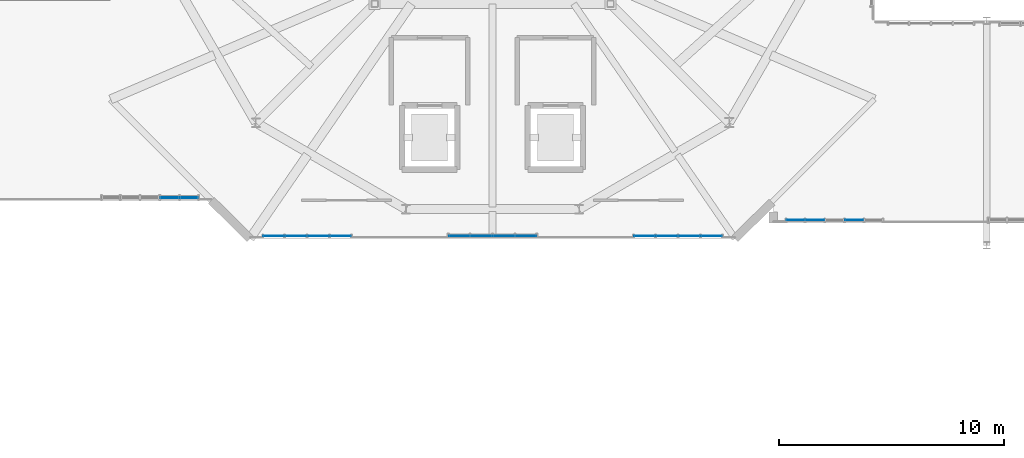
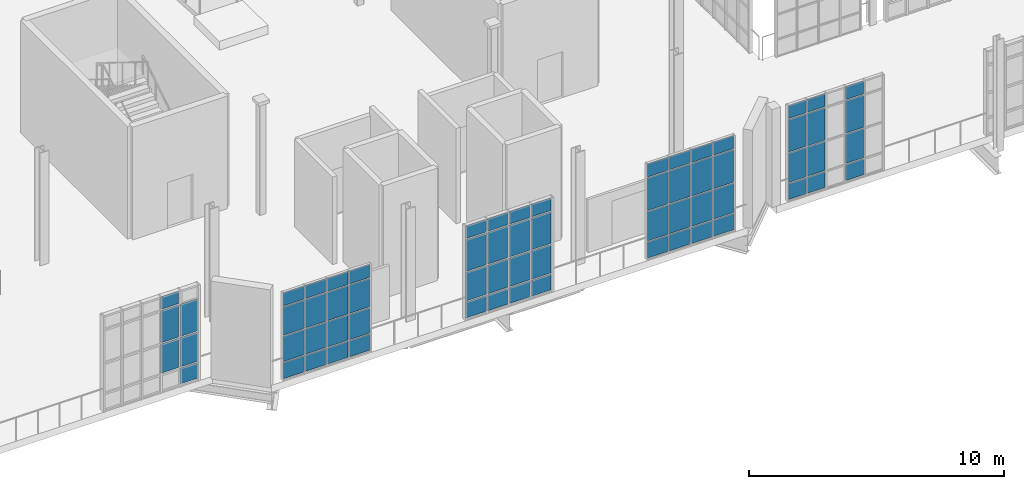
# One storey, part 147 of 189: 66 plates, 5 elements without a shape of their own.
"""IFC4 building model written with IfcOpenShell, lengths in metres."""

from ifc_helpers import new_model, si_unit, direction, frame, origin, origin_2d, place, context, subcontext, project, spatial, rectangle, extrude, material, layer, layer_set, type_object, element, aggregate, save


model = new_model("IFC4")

# Units and contexts
model_context = context("Model", 3, precision=1e-05, world=origin(), true_north=direction((0.0, 1.0)))
body_context = subcontext(model_context, "Body", "Model", "MODEL_VIEW")
ifc_project = project(units=[si_unit("LENGTHUNIT", "METRE"), si_unit("AREAUNIT", "SQUARE_METRE"), si_unit("VOLUMEUNIT", "CUBIC_METRE"), si_unit("PLANEANGLEUNIT", "RADIAN"), si_unit("MASSUNIT", "GRAM", prefix="KILO"), si_unit("THERMODYNAMICTEMPERATUREUNIT", "KELVIN"), si_unit("POWERUNIT", "WATT")], contexts=[model_context])

# Site, building, storey
site_placement = place(None, origin())
site = spatial("IfcSite", under=ifc_project, at=site_placement, CompositionType="ELEMENT")
building_placement = place(site_placement, origin())
building = spatial("IfcBuilding", under=site, at=building_placement, Name="Zelmaris Science Centre", CompositionType="ELEMENT")
storey_placement = place(building_placement, origin())
storey = spatial("IfcBuildingStorey", under=building, at=storey_placement, Name="L00", CompositionType="ELEMENT", Elevation=0.0)

# Curtain wall, plates
ifc_material_1 = material(Name="Anodised architectural aluminium 6063-T6", Category="aluminium")
ifc_layer_1 = layer(ifc_material_1, 0.18994140625, Name="Anodised architectural aluminium 6063-T6")
ifc_layer_set_1 = layer_set([ifc_layer_1], Name="Anodised architectural aluminium 6063-T6")
curtain_wall_type_1 = type_object("IfcCurtainWallType", Name="Curtain Wall CW-01", PredefinedType="USERDEFINED", material=ifc_layer_set_1)
curtain_wall_1_placement = place(storey_placement, origin())
curtain_wall_1 = element("IfcCurtainWall", 1, at=curtain_wall_1_placement, inside=storey, type_object=curtain_wall_type_1, Name="L00 Unitised curtain wall 121", ObjectType="GLAZED CURTAIN WALL", PredefinedType="USERDEFINED")
ifc_material_2 = material(Name="Laminated hurricane-rated low-E insulated glazing", Category="glass")
ifc_layer_2 = layer(ifc_material_2, 0.031982421875, Name="Laminated hurricane-rated low-E insulated glazing")
ifc_layer_set_2 = layer_set([ifc_layer_2], Name="Laminated hurricane-rated low-E insulated glazing")
plate_type_1 = type_object("IfcPlateType", Name="Curtain Glazing Panel CWP-1 32mm", PredefinedType="CURTAIN_PANEL", material=ifc_layer_set_2)
plate_1_placement = place(storey_placement, frame((67.48388671875, 22.11962890625, 0.05712890625), z_axis=(0.0, 0.0, 1.0), x_axis=(-0.999999999741, 2.2776442e-05, 0.0)))
plate_1 = element("IfcPlate", 2, at=plate_1_placement, type_object=plate_type_1, Name="CW-01 panel 1.1", PredefinedType="CURTAIN_PANEL", context=body_context, shape_type="SweptSolid", body=[
    extrude(rectangle(XDim=0.77001953125, YDim=0.031982421875, at=origin_2d()), origin(), (0.0, 0.0, 1.0), 0.741943359375),
])
plate_2_placement = place(storey_placement, frame((67.48388671875, 22.11962890625, 0.87109375), z_axis=(0.0, 0.0, 1.0), x_axis=(-0.999999999741, 2.2776442e-05, 0.0)))
plate_2 = element("IfcPlate", 3, at=plate_2_placement, type_object=plate_type_1, Name="CW-01 panel 1.2", PredefinedType="CURTAIN_PANEL", context=body_context, shape_type="SweptSolid", body=[
    extrude(rectangle(XDim=0.77001953125, YDim=0.031982421875, at=origin_2d()), origin(), (0.0, 0.0, 1.0), 1.385498046875),
])
plate_3_placement = place(storey_placement, frame((67.48388671875, 22.11962890625, 2.32861328125), z_axis=(0.0, 0.0, 1.0), x_axis=(-0.999999999741, 2.2776442e-05, 0.0)))
plate_3 = element("IfcPlate", 4, at=plate_3_placement, type_object=plate_type_1, Name="CW-01 panel 1.3", PredefinedType="CURTAIN_PANEL", context=body_context, shape_type="SweptSolid", body=[
    extrude(rectangle(XDim=0.77001953125, YDim=0.031982421875, at=origin_2d()), origin(), (0.0, 0.0, 1.0), 1.535400390625),
])
plate_4_placement = place(storey_placement, frame((66.623779296875, 22.11962890625, 0.87109375), z_axis=(0.0, 0.0, 1.0), x_axis=(-0.999999999741, 2.2776442e-05, 0.0)))
plate_4 = element("IfcPlate", 5, at=plate_4_placement, type_object=plate_type_1, Name="CW-01 panel 2.2", PredefinedType="CURTAIN_PANEL", context=body_context, shape_type="SweptSolid", body=[
    extrude(rectangle(XDim=0.80615234375, YDim=0.031982421875, at=origin_2d()), origin(), (0.0, 0.0, 1.0), 1.385498046875),
])
plate_5_placement = place(storey_placement, frame((66.623779296875, 22.11962890625, 2.32861328125), z_axis=(0.0, 0.0, 1.0), x_axis=(-0.999999999741, 2.2776442e-05, 0.0)))
plate_5 = element("IfcPlate", 6, at=plate_5_placement, type_object=plate_type_1, Name="CW-01 panel 2.3", PredefinedType="CURTAIN_PANEL", context=body_context, shape_type="SweptSolid", body=[
    extrude(rectangle(XDim=0.80615234375, YDim=0.031982421875, at=origin_2d()), origin(), (0.0, 0.0, 1.0), 1.535400390625),
])
plate_6_placement = place(storey_placement, frame((66.623779296875, 22.11962890625, 3.93603515625), z_axis=(0.0, 0.0, 1.0), x_axis=(-0.999999999741, 2.2776442e-05, 0.0)))
plate_6 = element("IfcPlate", 7, at=plate_6_placement, type_object=plate_type_1, Name="CW-01 panel 2.4", PredefinedType="CURTAIN_PANEL", context=body_context, shape_type="SweptSolid", body=[
    extrude(rectangle(XDim=0.80615234375, YDim=0.031982421875, at=origin_2d()), origin(), (0.0, 0.0, 1.0), 0.592041015625),
])
aggregate(curtain_wall_1, [plate_1, plate_2, plate_3, plate_4, plate_5, plate_6])

ifc_layer_3 = layer(ifc_material_1, 0.199951171875, Name="Anodised architectural aluminium 6063-T6")
ifc_layer_set_3 = layer_set([ifc_layer_3], Name="Anodised architectural aluminium 6063-T6")
curtain_wall_type_2 = type_object("IfcCurtainWallType", Name="Curtain Wall CW-02", PredefinedType="USERDEFINED", material=ifc_layer_set_3)
curtain_wall_2_placement = place(storey_placement, origin())
curtain_wall_2 = element("IfcCurtainWall", 8, at=curtain_wall_2_placement, inside=storey, type_object=curtain_wall_type_2, Name="L00 Unitised curtain wall 118", ObjectType="GLAZED CURTAIN WALL", PredefinedType="USERDEFINED")
ifc_layer_4 = layer(ifc_material_2, 0.028076171875, Name="Laminated hurricane-rated low-E insulated glazing")
ifc_layer_set_4 = layer_set([ifc_layer_4], Name="Laminated hurricane-rated low-E insulated glazing")
plate_type_2 = type_object("IfcPlateType", Name="Curtain Glazing Panel CWP-2 28mm", PredefinedType="CURTAIN_PANEL", material=ifc_layer_set_4)
plate_7_placement = place(storey_placement, frame((82.48681640625, 20.419921875, 0.052001953125), z_axis=(0.0, 0.0, 1.0), x_axis=(-1.0, 0.0, 0.0)))
plate_7 = element("IfcPlate", 9, at=plate_7_placement, type_object=plate_type_2, Name="CW-02 panel 1.1", PredefinedType="CURTAIN_PANEL", context=body_context, shape_type="SweptSolid", body=[
    extrude(rectangle(XDim=0.9013671875, YDim=0.028076171875, at=origin_2d()), origin(), (0.0, 0.0, 1.0), 0.74951171875),
])
plate_8_placement = place(storey_placement, frame((82.48681640625, 20.419921875, 0.868408203125), z_axis=(0.0, 0.0, 1.0), x_axis=(-1.0, 0.0, 0.0)))
plate_8 = element("IfcPlate", 10, at=plate_8_placement, type_object=plate_type_2, Name="CW-02 panel 1.2", PredefinedType="CURTAIN_PANEL", context=body_context, shape_type="SweptSolid", body=[
    extrude(rectangle(XDim=0.9013671875, YDim=0.028076171875, at=origin_2d()), origin(), (0.0, 0.0, 1.0), 1.35400390625),
])
plate_9_placement = place(storey_placement, frame((82.48681640625, 20.419921875, 2.28955078125), z_axis=(0.0, 0.0, 1.0), x_axis=(-1.0, 0.0, 0.0)))
plate_9 = element("IfcPlate", 11, at=plate_9_placement, type_object=plate_type_2, Name="CW-02 panel 1.3", PredefinedType="CURTAIN_PANEL", context=body_context, shape_type="SweptSolid", body=[
    extrude(rectangle(XDim=0.9013671875, YDim=0.028076171875, at=origin_2d()), origin(), (0.0, 0.0, 1.0), 1.50390625),
])
plate_10_placement = place(storey_placement, frame((82.48681640625, 20.419921875, 3.8603515625), z_axis=(0.0, 0.0, 1.0), x_axis=(-1.0, 0.0, 0.0)))
plate_10 = element("IfcPlate", 12, at=plate_10_placement, type_object=plate_type_2, Name="CW-02 panel 1.4", PredefinedType="CURTAIN_PANEL", context=body_context, shape_type="SweptSolid", body=[
    extrude(rectangle(XDim=0.9013671875, YDim=0.028076171875, at=origin_2d()), origin(), (0.0, 0.0, 1.0), 0.599609375),
])
plate_11_placement = place(storey_placement, frame((81.501708984375, 20.419921875, 0.052001953125), z_axis=(0.0, 0.0, 1.0), x_axis=(-1.0, 0.0, 0.0)))
plate_11 = element("IfcPlate", 13, at=plate_11_placement, type_object=plate_type_2, Name="CW-02 panel 2.1", PredefinedType="CURTAIN_PANEL", context=body_context, shape_type="SweptSolid", body=[
    extrude(rectangle(XDim=0.934814453125, YDim=0.028076171875, at=origin_2d()), origin(), (0.0, 0.0, 1.0), 0.74951171875),
])
plate_12_placement = place(storey_placement, frame((81.501708984375, 20.419921875, 0.868408203125), z_axis=(0.0, 0.0, 1.0), x_axis=(-1.0, 0.0, 0.0)))
plate_12 = element("IfcPlate", 14, at=plate_12_placement, type_object=plate_type_2, Name="CW-02 panel 2.2", PredefinedType="CURTAIN_PANEL", context=body_context, shape_type="SweptSolid", body=[
    extrude(rectangle(XDim=0.934814453125, YDim=0.028076171875, at=origin_2d()), origin(), (0.0, 0.0, 1.0), 1.35400390625),
])
plate_13_placement = place(storey_placement, frame((81.501708984375, 20.419921875, 2.28955078125), z_axis=(0.0, 0.0, 1.0), x_axis=(-1.0, 0.0, 0.0)))
plate_13 = element("IfcPlate", 15, at=plate_13_placement, type_object=plate_type_2, Name="CW-02 panel 2.3", PredefinedType="CURTAIN_PANEL", context=body_context, shape_type="SweptSolid", body=[
    extrude(rectangle(XDim=0.934814453125, YDim=0.028076171875, at=origin_2d()), origin(), (0.0, 0.0, 1.0), 1.50390625),
])
plate_14_placement = place(storey_placement, frame((81.501708984375, 20.419921875, 3.8603515625), z_axis=(0.0, 0.0, 1.0), x_axis=(-1.0, 0.0, 0.0)))
plate_14 = element("IfcPlate", 16, at=plate_14_placement, type_object=plate_type_2, Name="CW-02 panel 2.4", PredefinedType="CURTAIN_PANEL", context=body_context, shape_type="SweptSolid", body=[
    extrude(rectangle(XDim=0.934814453125, YDim=0.028076171875, at=origin_2d()), origin(), (0.0, 0.0, 1.0), 0.599609375),
])
plate_15_placement = place(storey_placement, frame((80.499755859375, 20.419921875, 0.052001953125), z_axis=(0.0, 0.0, 1.0), x_axis=(-1.0, 0.0, 0.0)))
plate_15 = element("IfcPlate", 17, at=plate_15_placement, type_object=plate_type_2, Name="CW-02 panel 3.1", PredefinedType="CURTAIN_PANEL", context=body_context, shape_type="SweptSolid", body=[
    extrude(rectangle(XDim=0.934814453125, YDim=0.028076171875, at=origin_2d()), origin(), (0.0, 0.0, 1.0), 0.74951171875),
])
plate_16_placement = place(storey_placement, frame((80.499755859375, 20.419921875, 0.868408203125), z_axis=(0.0, 0.0, 1.0), x_axis=(-1.0, 0.0, 0.0)))
plate_16 = element("IfcPlate", 18, at=plate_16_placement, type_object=plate_type_2, Name="CW-02 panel 3.2", PredefinedType="CURTAIN_PANEL", context=body_context, shape_type="SweptSolid", body=[
    extrude(rectangle(XDim=0.934814453125, YDim=0.028076171875, at=origin_2d()), origin(), (0.0, 0.0, 1.0), 1.35400390625),
])
plate_17_placement = place(storey_placement, frame((80.499755859375, 20.419921875, 2.28955078125), z_axis=(0.0, 0.0, 1.0), x_axis=(-1.0, 0.0, 0.0)))
plate_17 = element("IfcPlate", 19, at=plate_17_placement, type_object=plate_type_2, Name="CW-02 panel 3.3", PredefinedType="CURTAIN_PANEL", context=body_context, shape_type="SweptSolid", body=[
    extrude(rectangle(XDim=0.934814453125, YDim=0.028076171875, at=origin_2d()), origin(), (0.0, 0.0, 1.0), 1.50390625),
])
plate_18_placement = place(storey_placement, frame((80.499755859375, 20.419921875, 3.8603515625), z_axis=(0.0, 0.0, 1.0), x_axis=(-1.0, 0.0, 0.0)))
plate_18 = element("IfcPlate", 20, at=plate_18_placement, type_object=plate_type_2, Name="CW-02 panel 3.4", PredefinedType="CURTAIN_PANEL", context=body_context, shape_type="SweptSolid", body=[
    extrude(rectangle(XDim=0.934814453125, YDim=0.028076171875, at=origin_2d()), origin(), (0.0, 0.0, 1.0), 0.599609375),
])
plate_19_placement = place(storey_placement, frame((79.5146484375, 20.419921875, 0.052001953125), z_axis=(0.0, 0.0, 1.0), x_axis=(-1.0, 0.0, 0.0)))
plate_19 = element("IfcPlate", 21, at=plate_19_placement, type_object=plate_type_2, Name="CW-02 panel 4.1", PredefinedType="CURTAIN_PANEL", context=body_context, shape_type="SweptSolid", body=[
    extrude(rectangle(XDim=0.9013671875, YDim=0.028076171875, at=origin_2d()), origin(), (0.0, 0.0, 1.0), 0.74951171875),
])
plate_20_placement = place(storey_placement, frame((79.5146484375, 20.419921875, 0.868408203125), z_axis=(0.0, 0.0, 1.0), x_axis=(-1.0, 0.0, 0.0)))
plate_20 = element("IfcPlate", 22, at=plate_20_placement, type_object=plate_type_2, Name="CW-02 panel 4.2", PredefinedType="CURTAIN_PANEL", context=body_context, shape_type="SweptSolid", body=[
    extrude(rectangle(XDim=0.9013671875, YDim=0.028076171875, at=origin_2d()), origin(), (0.0, 0.0, 1.0), 1.35400390625),
])
plate_21_placement = place(storey_placement, frame((79.5146484375, 20.419921875, 2.28955078125), z_axis=(0.0, 0.0, 1.0), x_axis=(-1.0, 0.0, 0.0)))
plate_21 = element("IfcPlate", 23, at=plate_21_placement, type_object=plate_type_2, Name="CW-02 panel 4.3", PredefinedType="CURTAIN_PANEL", context=body_context, shape_type="SweptSolid", body=[
    extrude(rectangle(XDim=0.9013671875, YDim=0.028076171875, at=origin_2d()), origin(), (0.0, 0.0, 1.0), 1.50390625),
])
plate_22_placement = place(storey_placement, frame((79.5146484375, 20.419921875, 3.8603515625), z_axis=(0.0, 0.0, 1.0), x_axis=(-1.0, 0.0, 0.0)))
plate_22 = element("IfcPlate", 24, at=plate_22_placement, type_object=plate_type_2, Name="CW-02 panel 4.4", PredefinedType="CURTAIN_PANEL", context=body_context, shape_type="SweptSolid", body=[
    extrude(rectangle(XDim=0.9013671875, YDim=0.028076171875, at=origin_2d()), origin(), (0.0, 0.0, 1.0), 0.599609375),
])
aggregate(curtain_wall_2, [plate_7, plate_8, plate_9, plate_10, plate_11, plate_12, plate_13, plate_14, plate_15, plate_16, plate_17, plate_18, plate_19, plate_20, plate_21, plate_22])

ifc_layer_5 = layer(ifc_material_1, 0.2099609375, Name="Anodised architectural aluminium 6063-T6")
ifc_layer_set_5 = layer_set([ifc_layer_5], Name="Anodised architectural aluminium 6063-T6")
curtain_wall_type_3 = type_object("IfcCurtainWallType", Name="Curtain Wall CW-03", PredefinedType="USERDEFINED", material=ifc_layer_set_5)
curtain_wall_3_placement = place(storey_placement, origin())
curtain_wall_3 = element("IfcCurtainWall", 25, at=curtain_wall_3_placement, inside=storey, type_object=curtain_wall_type_3, Name="L00 Unitised curtain wall 115", ObjectType="GLAZED CURTAIN WALL", PredefinedType="USERDEFINED")
ifc_layer_6 = layer(ifc_material_2, 0.02587890625, Name="Laminated hurricane-rated low-E insulated glazing")
ifc_layer_set_6 = layer_set([ifc_layer_6], Name="Laminated hurricane-rated low-E insulated glazing")
plate_type_3 = type_object("IfcPlateType", Name="Curtain Glazing Panel CWP-3 26mm", PredefinedType="CURTAIN_PANEL", material=ifc_layer_set_6)
plate_23_placement = place(storey_placement, frame((97.104248046875, 21.119873046875, 0.0419921875), z_axis=(0.0, 0.0, 1.0), x_axis=(-0.999999997651, 6.8536968e-05, 0.0)))
plate_23 = element("IfcPlate", 26, at=plate_23_placement, type_object=plate_type_3, Name="CW-03 panel 2.1", PredefinedType="CURTAIN_PANEL", context=body_context, shape_type="SweptSolid", body=[
    extrude(rectangle(XDim=0.818359375, YDim=0.02587890625, at=origin_2d()), origin(), (0.0, 0.0, 1.0), 0.764404296875),
])
plate_24_placement = place(storey_placement, frame((97.104248046875, 21.119873046875, 0.863525390625), z_axis=(0.0, 0.0, 1.0), x_axis=(-0.999999997651, 6.8536968e-05, 0.0)))
plate_24 = element("IfcPlate", 27, at=plate_24_placement, type_object=plate_type_3, Name="CW-03 panel 2.2", PredefinedType="CURTAIN_PANEL", context=body_context, shape_type="SweptSolid", body=[
    extrude(rectangle(XDim=0.818359375, YDim=0.02587890625, at=origin_2d()), origin(), (0.0, 0.0, 1.0), 1.400390625),
])
plate_25_placement = place(storey_placement, frame((97.104248046875, 21.119873046875, 2.32080078125), z_axis=(0.0, 0.0, 1.0), x_axis=(-0.999999997651, 6.8536968e-05, 0.0)))
plate_25 = element("IfcPlate", 28, at=plate_25_placement, type_object=plate_type_3, Name="CW-03 panel 2.3", PredefinedType="CURTAIN_PANEL", context=body_context, shape_type="SweptSolid", body=[
    extrude(rectangle(XDim=0.818359375, YDim=0.02587890625, at=origin_2d()), origin(), (0.0, 0.0, 1.0), 1.550537109375),
])
plate_26_placement = place(storey_placement, frame((97.104248046875, 21.119873046875, 3.9287109375), z_axis=(0.0, 0.0, 1.0), x_axis=(-0.999999997651, 6.8536968e-05, 0.0)))
plate_26 = element("IfcPlate", 29, at=plate_26_placement, type_object=plate_type_3, Name="CW-03 panel 2.4", PredefinedType="CURTAIN_PANEL", context=body_context, shape_type="SweptSolid", body=[
    extrude(rectangle(XDim=0.818359375, YDim=0.02587890625, at=origin_2d()), origin(), (0.0, 0.0, 1.0), 0.614501953125),
])
plate_27_placement = place(storey_placement, frame((95.353271484375, 21.119873046875, 0.0419921875), z_axis=(0.0, 0.0, 1.0), x_axis=(-0.999999997651, 6.8536968e-05, 0.0)))
plate_27 = element("IfcPlate", 30, at=plate_27_placement, type_object=plate_type_3, Name="CW-03 panel 4.1", PredefinedType="CURTAIN_PANEL", context=body_context, shape_type="SweptSolid", body=[
    extrude(rectangle(XDim=0.818359375, YDim=0.02587890625, at=origin_2d()), origin(), (0.0, 0.0, 1.0), 0.764404296875),
])
plate_28_placement = place(storey_placement, frame((95.353271484375, 21.119873046875, 0.863525390625), z_axis=(0.0, 0.0, 1.0), x_axis=(-0.999999997651, 6.8536968e-05, 0.0)))
plate_28 = element("IfcPlate", 31, at=plate_28_placement, type_object=plate_type_3, Name="CW-03 panel 4.2", PredefinedType="CURTAIN_PANEL", context=body_context, shape_type="SweptSolid", body=[
    extrude(rectangle(XDim=0.818359375, YDim=0.02587890625, at=origin_2d()), origin(), (0.0, 0.0, 1.0), 1.400390625),
])
plate_29_placement = place(storey_placement, frame((95.353271484375, 21.119873046875, 2.32080078125), z_axis=(0.0, 0.0, 1.0), x_axis=(-0.999999997651, 6.8536968e-05, 0.0)))
plate_29 = element("IfcPlate", 32, at=plate_29_placement, type_object=plate_type_3, Name="CW-03 panel 4.3", PredefinedType="CURTAIN_PANEL", context=body_context, shape_type="SweptSolid", body=[
    extrude(rectangle(XDim=0.818359375, YDim=0.02587890625, at=origin_2d()), origin(), (0.0, 0.0, 1.0), 1.550537109375),
])
plate_30_placement = place(storey_placement, frame((95.353271484375, 21.119873046875, 3.9287109375), z_axis=(0.0, 0.0, 1.0), x_axis=(-0.999999997651, 6.8536968e-05, 0.0)))
plate_30 = element("IfcPlate", 33, at=plate_30_placement, type_object=plate_type_3, Name="CW-03 panel 4.4", PredefinedType="CURTAIN_PANEL", context=body_context, shape_type="SweptSolid", body=[
    extrude(rectangle(XDim=0.818359375, YDim=0.02587890625, at=origin_2d()), origin(), (0.0, 0.0, 1.0), 0.614501953125),
])
plate_31_placement = place(storey_placement, frame((94.4921875, 21.119873046875, 0.0419921875), z_axis=(0.0, 0.0, 1.0), x_axis=(-0.999999997651, 6.8536968e-05, 0.0)))
plate_31 = element("IfcPlate", 34, at=plate_31_placement, type_object=plate_type_3, Name="CW-03 panel 5.1", PredefinedType="CURTAIN_PANEL", context=body_context, shape_type="SweptSolid", body=[
    extrude(rectangle(XDim=0.7900390625, YDim=0.02587890625, at=origin_2d()), origin(), (0.0, 0.0, 1.0), 0.764404296875),
])
plate_32_placement = place(storey_placement, frame((94.4921875, 21.119873046875, 0.863525390625), z_axis=(0.0, 0.0, 1.0), x_axis=(-0.999999997651, 6.8536968e-05, 0.0)))
plate_32 = element("IfcPlate", 35, at=plate_32_placement, type_object=plate_type_3, Name="CW-03 panel 5.2", PredefinedType="CURTAIN_PANEL", context=body_context, shape_type="SweptSolid", body=[
    extrude(rectangle(XDim=0.7900390625, YDim=0.02587890625, at=origin_2d()), origin(), (0.0, 0.0, 1.0), 1.400390625),
])
plate_33_placement = place(storey_placement, frame((94.4921875, 21.119873046875, 2.32080078125), z_axis=(0.0, 0.0, 1.0), x_axis=(-0.999999997651, 6.8536968e-05, 0.0)))
plate_33 = element("IfcPlate", 36, at=plate_33_placement, type_object=plate_type_3, Name="CW-03 panel 5.3", PredefinedType="CURTAIN_PANEL", context=body_context, shape_type="SweptSolid", body=[
    extrude(rectangle(XDim=0.7900390625, YDim=0.02587890625, at=origin_2d()), origin(), (0.0, 0.0, 1.0), 1.550537109375),
])
plate_34_placement = place(storey_placement, frame((94.4921875, 21.119873046875, 3.9287109375), z_axis=(0.0, 0.0, 1.0), x_axis=(-0.999999997651, 6.8536968e-05, 0.0)))
plate_34 = element("IfcPlate", 37, at=plate_34_placement, type_object=plate_type_3, Name="CW-03 panel 5.4", PredefinedType="CURTAIN_PANEL", context=body_context, shape_type="SweptSolid", body=[
    extrude(rectangle(XDim=0.7900390625, YDim=0.02587890625, at=origin_2d()), origin(), (0.0, 0.0, 1.0), 0.614501953125),
])
aggregate(curtain_wall_3, [plate_23, plate_24, plate_25, plate_26, plate_27, plate_28, plate_29, plate_30, plate_31, plate_32, plate_33, plate_34])

ifc_layer_7 = layer(ifc_material_1, 0.219970703125, Name="Anodised architectural aluminium 6063-T6")
ifc_layer_set_7 = layer_set([ifc_layer_7], Name="Anodised architectural aluminium 6063-T6")
curtain_wall_type_4 = type_object("IfcCurtainWallType", Name="Curtain Wall CW-04", PredefinedType="USERDEFINED", material=ifc_layer_set_7)
curtain_wall_4_placement = place(storey_placement, origin())
curtain_wall_4 = element("IfcCurtainWall", 38, at=curtain_wall_4_placement, inside=storey, type_object=curtain_wall_type_4, Name="L00 Unitised curtain wall 116", ObjectType="GLAZED CURTAIN WALL", PredefinedType="USERDEFINED")
ifc_layer_8 = layer(ifc_material_2, 0.02392578125, Name="Laminated hurricane-rated low-E insulated glazing")
ifc_layer_set_8 = layer_set([ifc_layer_8], Name="Laminated hurricane-rated low-E insulated glazing")
plate_type_4 = type_object("IfcPlateType", Name="Curtain Glazing Panel CWP-4 24mm", PredefinedType="CURTAIN_PANEL", material=ifc_layer_set_8)
plate_35_placement = place(storey_placement, frame((90.74609375, 20.420166015625, 0.037109375), z_axis=(0.0, 0.0, 1.0), x_axis=(-1.0, 0.0, 0.0)))
plate_35 = element("IfcPlate", 39, at=plate_35_placement, type_object=plate_type_4, Name="CW-04 panel 1.1", PredefinedType="CURTAIN_PANEL", context=body_context, shape_type="SweptSolid", body=[
    extrude(rectangle(XDim=0.923828125, YDim=0.02392578125, at=origin_2d()), origin(), (0.0, 0.0, 1.0), 0.77197265625),
])
plate_36_placement = place(storey_placement, frame((90.74609375, 20.420166015625, 0.86083984375), z_axis=(0.0, 0.0, 1.0), x_axis=(-1.0, 0.0, 0.0)))
plate_36 = element("IfcPlate", 40, at=plate_36_placement, type_object=plate_type_4, Name="CW-04 panel 1.2", PredefinedType="CURTAIN_PANEL", context=body_context, shape_type="SweptSolid", body=[
    extrude(rectangle(XDim=0.923828125, YDim=0.02392578125, at=origin_2d()), origin(), (0.0, 0.0, 1.0), 1.405517578125),
])
plate_37_placement = place(storey_placement, frame((90.74609375, 20.420166015625, 2.318359375), z_axis=(0.0, 0.0, 1.0), x_axis=(-1.0, 0.0, 0.0)))
plate_37 = element("IfcPlate", 41, at=plate_37_placement, type_object=plate_type_4, Name="CW-04 panel 1.3", PredefinedType="CURTAIN_PANEL", context=body_context, shape_type="SweptSolid", body=[
    extrude(rectangle(XDim=0.923828125, YDim=0.02392578125, at=origin_2d()), origin(), (0.0, 0.0, 1.0), 1.555419921875),
])
plate_38_placement = place(storey_placement, frame((90.74609375, 20.420166015625, 3.926025390625), z_axis=(0.0, 0.0, 1.0), x_axis=(-1.0, 0.0, 0.0)))
plate_38 = element("IfcPlate", 42, at=plate_38_placement, type_object=plate_type_4, Name="CW-04 panel 1.4", PredefinedType="CURTAIN_PANEL", context=body_context, shape_type="SweptSolid", body=[
    extrude(rectangle(XDim=0.923828125, YDim=0.02392578125, at=origin_2d()), origin(), (0.0, 0.0, 1.0), 0.6220703125),
])
plate_39_placement = place(storey_placement, frame((89.757080078125, 20.420166015625, 0.037109375), z_axis=(0.0, 0.0, 1.0), x_axis=(-1.0, 0.0, 0.0)))
plate_39 = element("IfcPlate", 43, at=plate_39_placement, type_object=plate_type_4, Name="CW-04 panel 2.1", PredefinedType="CURTAIN_PANEL", context=body_context, shape_type="SweptSolid", body=[
    extrude(rectangle(XDim=0.949951171875, YDim=0.02392578125, at=origin_2d()), origin(), (0.0, 0.0, 1.0), 0.77197265625),
])
plate_40_placement = place(storey_placement, frame((89.757080078125, 20.420166015625, 0.86083984375), z_axis=(0.0, 0.0, 1.0), x_axis=(-1.0, 0.0, 0.0)))
plate_40 = element("IfcPlate", 44, at=plate_40_placement, type_object=plate_type_4, Name="CW-04 panel 2.2", PredefinedType="CURTAIN_PANEL", context=body_context, shape_type="SweptSolid", body=[
    extrude(rectangle(XDim=0.949951171875, YDim=0.02392578125, at=origin_2d()), origin(), (0.0, 0.0, 1.0), 1.405517578125),
])
plate_41_placement = place(storey_placement, frame((89.757080078125, 20.420166015625, 2.318359375), z_axis=(0.0, 0.0, 1.0), x_axis=(-1.0, 0.0, 0.0)))
plate_41 = element("IfcPlate", 45, at=plate_41_placement, type_object=plate_type_4, Name="CW-04 panel 2.3", PredefinedType="CURTAIN_PANEL", context=body_context, shape_type="SweptSolid", body=[
    extrude(rectangle(XDim=0.949951171875, YDim=0.02392578125, at=origin_2d()), origin(), (0.0, 0.0, 1.0), 1.555419921875),
])
plate_42_placement = place(storey_placement, frame((89.757080078125, 20.420166015625, 3.926025390625), z_axis=(0.0, 0.0, 1.0), x_axis=(-1.0, 0.0, 0.0)))
plate_42 = element("IfcPlate", 46, at=plate_42_placement, type_object=plate_type_4, Name="CW-04 panel 2.4", PredefinedType="CURTAIN_PANEL", context=body_context, shape_type="SweptSolid", body=[
    extrude(rectangle(XDim=0.949951171875, YDim=0.02392578125, at=origin_2d()), origin(), (0.0, 0.0, 1.0), 0.6220703125),
])
plate_43_placement = place(storey_placement, frame((88.755126953125, 20.420166015625, 0.037109375), z_axis=(0.0, 0.0, 1.0), x_axis=(-1.0, 0.0, 0.0)))
plate_43 = element("IfcPlate", 47, at=plate_43_placement, type_object=plate_type_4, Name="CW-04 panel 3.1", PredefinedType="CURTAIN_PANEL", context=body_context, shape_type="SweptSolid", body=[
    extrude(rectangle(XDim=0.949951171875, YDim=0.02392578125, at=origin_2d()), origin(), (0.0, 0.0, 1.0), 0.77197265625),
])
plate_44_placement = place(storey_placement, frame((88.755126953125, 20.420166015625, 0.86083984375), z_axis=(0.0, 0.0, 1.0), x_axis=(-1.0, 0.0, 0.0)))
plate_44 = element("IfcPlate", 48, at=plate_44_placement, type_object=plate_type_4, Name="CW-04 panel 3.2", PredefinedType="CURTAIN_PANEL", context=body_context, shape_type="SweptSolid", body=[
    extrude(rectangle(XDim=0.949951171875, YDim=0.02392578125, at=origin_2d()), origin(), (0.0, 0.0, 1.0), 1.405517578125),
])
plate_45_placement = place(storey_placement, frame((88.755126953125, 20.420166015625, 2.318359375), z_axis=(0.0, 0.0, 1.0), x_axis=(-1.0, 0.0, 0.0)))
plate_45 = element("IfcPlate", 49, at=plate_45_placement, type_object=plate_type_4, Name="CW-04 panel 3.3", PredefinedType="CURTAIN_PANEL", context=body_context, shape_type="SweptSolid", body=[
    extrude(rectangle(XDim=0.949951171875, YDim=0.02392578125, at=origin_2d()), origin(), (0.0, 0.0, 1.0), 1.555419921875),
])
plate_46_placement = place(storey_placement, frame((88.755126953125, 20.420166015625, 3.926025390625), z_axis=(0.0, 0.0, 1.0), x_axis=(-1.0, 0.0, 0.0)))
plate_46 = element("IfcPlate", 50, at=plate_46_placement, type_object=plate_type_4, Name="CW-04 panel 3.4", PredefinedType="CURTAIN_PANEL", context=body_context, shape_type="SweptSolid", body=[
    extrude(rectangle(XDim=0.949951171875, YDim=0.02392578125, at=origin_2d()), origin(), (0.0, 0.0, 1.0), 0.6220703125),
])
plate_47_placement = place(storey_placement, frame((87.766357421875, 20.420166015625, 0.037109375), z_axis=(0.0, 0.0, 1.0), x_axis=(-1.0, 0.0, 0.0)))
plate_47 = element("IfcPlate", 51, at=plate_47_placement, type_object=plate_type_4, Name="CW-04 panel 4.1", PredefinedType="CURTAIN_PANEL", context=body_context, shape_type="SweptSolid", body=[
    extrude(rectangle(XDim=0.923828125, YDim=0.02392578125, at=origin_2d()), origin(), (0.0, 0.0, 1.0), 0.77197265625),
])
plate_48_placement = place(storey_placement, frame((87.766357421875, 20.420166015625, 0.86083984375), z_axis=(0.0, 0.0, 1.0), x_axis=(-1.0, 0.0, 0.0)))
plate_48 = element("IfcPlate", 52, at=plate_48_placement, type_object=plate_type_4, Name="CW-04 panel 4.2", PredefinedType="CURTAIN_PANEL", context=body_context, shape_type="SweptSolid", body=[
    extrude(rectangle(XDim=0.923828125, YDim=0.02392578125, at=origin_2d()), origin(), (0.0, 0.0, 1.0), 1.405517578125),
])
plate_49_placement = place(storey_placement, frame((87.766357421875, 20.420166015625, 2.318359375), z_axis=(0.0, 0.0, 1.0), x_axis=(-1.0, 0.0, 0.0)))
plate_49 = element("IfcPlate", 53, at=plate_49_placement, type_object=plate_type_4, Name="CW-04 panel 4.3", PredefinedType="CURTAIN_PANEL", context=body_context, shape_type="SweptSolid", body=[
    extrude(rectangle(XDim=0.923828125, YDim=0.02392578125, at=origin_2d()), origin(), (0.0, 0.0, 1.0), 1.555419921875),
])
plate_50_placement = place(storey_placement, frame((87.766357421875, 20.420166015625, 3.926025390625), z_axis=(0.0, 0.0, 1.0), x_axis=(-1.0, 0.0, 0.0)))
plate_50 = element("IfcPlate", 54, at=plate_50_placement, type_object=plate_type_4, Name="CW-04 panel 4.4", PredefinedType="CURTAIN_PANEL", context=body_context, shape_type="SweptSolid", body=[
    extrude(rectangle(XDim=0.923828125, YDim=0.02392578125, at=origin_2d()), origin(), (0.0, 0.0, 1.0), 0.6220703125),
])
aggregate(curtain_wall_4, [plate_35, plate_36, plate_37, plate_38, plate_39, plate_40, plate_41, plate_42, plate_43, plate_44, plate_45, plate_46, plate_47, plate_48, plate_49, plate_50])

curtain_wall_5_placement = place(storey_placement, origin())
curtain_wall_5 = element("IfcCurtainWall", 55, at=curtain_wall_5_placement, inside=storey, type_object=curtain_wall_type_4, Name="L00 Unitised curtain wall 120", ObjectType="GLAZED CURTAIN WALL", PredefinedType="USERDEFINED")
plate_51_placement = place(storey_placement, frame((74.2353515625, 20.419921875, 0.037109375), z_axis=(0.0, 0.0, 1.0), x_axis=(-1.0, 0.0, 0.0)))
plate_51 = element("IfcPlate", 56, at=plate_51_placement, type_object=plate_type_4, Name="CW-04 panel 1.1", PredefinedType="CURTAIN_PANEL", context=body_context, shape_type="SweptSolid", body=[
    extrude(rectangle(XDim=0.923828125, YDim=0.02392578125, at=origin_2d()), origin(), (0.0, 0.0, 1.0), 0.77197265625),
])
plate_52_placement = place(storey_placement, frame((74.2353515625, 20.419921875, 0.861083984375), z_axis=(0.0, 0.0, 1.0), x_axis=(-1.0, 0.0, 0.0)))
plate_52 = element("IfcPlate", 57, at=plate_52_placement, type_object=plate_type_4, Name="CW-04 panel 1.2", PredefinedType="CURTAIN_PANEL", context=body_context, shape_type="SweptSolid", body=[
    extrude(rectangle(XDim=0.923828125, YDim=0.02392578125, at=origin_2d()), origin(), (0.0, 0.0, 1.0), 1.20751953125),
])
plate_53_placement = place(storey_placement, frame((74.2353515625, 20.419921875, 2.12060546875), z_axis=(0.0, 0.0, 1.0), x_axis=(-1.0, 0.0, 0.0)))
plate_53 = element("IfcPlate", 58, at=plate_53_placement, type_object=plate_type_4, Name="CW-04 panel 1.3", PredefinedType="CURTAIN_PANEL", context=body_context, shape_type="SweptSolid", body=[
    extrude(rectangle(XDim=0.923828125, YDim=0.02392578125, at=origin_2d()), origin(), (0.0, 0.0, 1.0), 1.357421875),
])
plate_54_placement = place(storey_placement, frame((74.2353515625, 20.419921875, 3.530029296875), z_axis=(0.0, 0.0, 1.0), x_axis=(-1.0, 0.0, 0.0)))
plate_54 = element("IfcPlate", 59, at=plate_54_placement, type_object=plate_type_4, Name="CW-04 panel 1.4", PredefinedType="CURTAIN_PANEL", context=body_context, shape_type="SweptSolid", body=[
    extrude(rectangle(XDim=0.923828125, YDim=0.02392578125, at=origin_2d()), origin(), (0.0, 0.0, 1.0), 0.6220703125),
])
plate_55_placement = place(storey_placement, frame((73.246337890625, 20.419921875, 0.037109375), z_axis=(0.0, 0.0, 1.0), x_axis=(-1.0, 0.0, 0.0)))
plate_55 = element("IfcPlate", 60, at=plate_55_placement, type_object=plate_type_4, Name="CW-04 panel 2.1", PredefinedType="CURTAIN_PANEL", context=body_context, shape_type="SweptSolid", body=[
    extrude(rectangle(XDim=0.949951171875, YDim=0.02392578125, at=origin_2d()), origin(), (0.0, 0.0, 1.0), 0.77197265625),
])
plate_56_placement = place(storey_placement, frame((73.246337890625, 20.419921875, 0.861083984375), z_axis=(0.0, 0.0, 1.0), x_axis=(-1.0, 0.0, 0.0)))
plate_56 = element("IfcPlate", 61, at=plate_56_placement, type_object=plate_type_4, Name="CW-04 panel 2.2", PredefinedType="CURTAIN_PANEL", context=body_context, shape_type="SweptSolid", body=[
    extrude(rectangle(XDim=0.949951171875, YDim=0.02392578125, at=origin_2d()), origin(), (0.0, 0.0, 1.0), 1.20751953125),
])
plate_57_placement = place(storey_placement, frame((73.246337890625, 20.419921875, 2.12060546875), z_axis=(0.0, 0.0, 1.0), x_axis=(-1.0, 0.0, 0.0)))
plate_57 = element("IfcPlate", 62, at=plate_57_placement, type_object=plate_type_4, Name="CW-04 panel 2.3", PredefinedType="CURTAIN_PANEL", context=body_context, shape_type="SweptSolid", body=[
    extrude(rectangle(XDim=0.949951171875, YDim=0.02392578125, at=origin_2d()), origin(), (0.0, 0.0, 1.0), 1.357421875),
])
plate_58_placement = place(storey_placement, frame((73.246337890625, 20.419921875, 3.530029296875), z_axis=(0.0, 0.0, 1.0), x_axis=(-1.0, 0.0, 0.0)))
plate_58 = element("IfcPlate", 63, at=plate_58_placement, type_object=plate_type_4, Name="CW-04 panel 2.4", PredefinedType="CURTAIN_PANEL", context=body_context, shape_type="SweptSolid", body=[
    extrude(rectangle(XDim=0.949951171875, YDim=0.02392578125, at=origin_2d()), origin(), (0.0, 0.0, 1.0), 0.6220703125),
])
plate_59_placement = place(storey_placement, frame((72.244384765625, 20.419921875, 0.037109375), z_axis=(0.0, 0.0, 1.0), x_axis=(-1.0, 0.0, 0.0)))
plate_59 = element("IfcPlate", 64, at=plate_59_placement, type_object=plate_type_4, Name="CW-04 panel 3.1", PredefinedType="CURTAIN_PANEL", context=body_context, shape_type="SweptSolid", body=[
    extrude(rectangle(XDim=0.949951171875, YDim=0.02392578125, at=origin_2d()), origin(), (0.0, 0.0, 1.0), 0.77197265625),
])
plate_60_placement = place(storey_placement, frame((72.244384765625, 20.419921875, 0.861083984375), z_axis=(0.0, 0.0, 1.0), x_axis=(-1.0, 0.0, 0.0)))
plate_60 = element("IfcPlate", 65, at=plate_60_placement, type_object=plate_type_4, Name="CW-04 panel 3.2", PredefinedType="CURTAIN_PANEL", context=body_context, shape_type="SweptSolid", body=[
    extrude(rectangle(XDim=0.949951171875, YDim=0.02392578125, at=origin_2d()), origin(), (0.0, 0.0, 1.0), 1.20751953125),
])
plate_61_placement = place(storey_placement, frame((72.244384765625, 20.419921875, 2.12060546875), z_axis=(0.0, 0.0, 1.0), x_axis=(-1.0, 0.0, 0.0)))
plate_61 = element("IfcPlate", 66, at=plate_61_placement, type_object=plate_type_4, Name="CW-04 panel 3.3", PredefinedType="CURTAIN_PANEL", context=body_context, shape_type="SweptSolid", body=[
    extrude(rectangle(XDim=0.949951171875, YDim=0.02392578125, at=origin_2d()), origin(), (0.0, 0.0, 1.0), 1.357421875),
])
plate_62_placement = place(storey_placement, frame((72.244384765625, 20.419921875, 3.530029296875), z_axis=(0.0, 0.0, 1.0), x_axis=(-1.0, 0.0, 0.0)))
plate_62 = element("IfcPlate", 67, at=plate_62_placement, type_object=plate_type_4, Name="CW-04 panel 3.4", PredefinedType="CURTAIN_PANEL", context=body_context, shape_type="SweptSolid", body=[
    extrude(rectangle(XDim=0.949951171875, YDim=0.02392578125, at=origin_2d()), origin(), (0.0, 0.0, 1.0), 0.6220703125),
])
plate_63_placement = place(storey_placement, frame((71.25537109375, 20.419921875, 0.037109375), z_axis=(0.0, 0.0, 1.0), x_axis=(-1.0, 0.0, 0.0)))
plate_63 = element("IfcPlate", 68, at=plate_63_placement, type_object=plate_type_4, Name="CW-04 panel 4.1", PredefinedType="CURTAIN_PANEL", context=body_context, shape_type="SweptSolid", body=[
    extrude(rectangle(XDim=0.923828125, YDim=0.02392578125, at=origin_2d()), origin(), (0.0, 0.0, 1.0), 0.77197265625),
])
plate_64_placement = place(storey_placement, frame((71.25537109375, 20.419921875, 0.861083984375), z_axis=(0.0, 0.0, 1.0), x_axis=(-1.0, 0.0, 0.0)))
plate_64 = element("IfcPlate", 69, at=plate_64_placement, type_object=plate_type_4, Name="CW-04 panel 4.2", PredefinedType="CURTAIN_PANEL", context=body_context, shape_type="SweptSolid", body=[
    extrude(rectangle(XDim=0.923828125, YDim=0.02392578125, at=origin_2d()), origin(), (0.0, 0.0, 1.0), 1.20751953125),
])
plate_65_placement = place(storey_placement, frame((71.25537109375, 20.419921875, 2.12060546875), z_axis=(0.0, 0.0, 1.0), x_axis=(-1.0, 0.0, 0.0)))
plate_65 = element("IfcPlate", 70, at=plate_65_placement, type_object=plate_type_4, Name="CW-04 panel 4.3", PredefinedType="CURTAIN_PANEL", context=body_context, shape_type="SweptSolid", body=[
    extrude(rectangle(XDim=0.923828125, YDim=0.02392578125, at=origin_2d()), origin(), (0.0, 0.0, 1.0), 1.357421875),
])
plate_66_placement = place(storey_placement, frame((71.25537109375, 20.419921875, 3.530029296875), z_axis=(0.0, 0.0, 1.0), x_axis=(-1.0, 0.0, 0.0)))
plate_66 = element("IfcPlate", 71, at=plate_66_placement, type_object=plate_type_4, Name="CW-04 panel 4.4", PredefinedType="CURTAIN_PANEL", context=body_context, shape_type="SweptSolid", body=[
    extrude(rectangle(XDim=0.923828125, YDim=0.02392578125, at=origin_2d()), origin(), (0.0, 0.0, 1.0), 0.6220703125),
])
aggregate(curtain_wall_5, [plate_51, plate_52, plate_53, plate_54, plate_55, plate_56, plate_57, plate_58, plate_59, plate_60, plate_61, plate_62, plate_63, plate_64, plate_65, plate_66])

save(model, "model.ifc")
